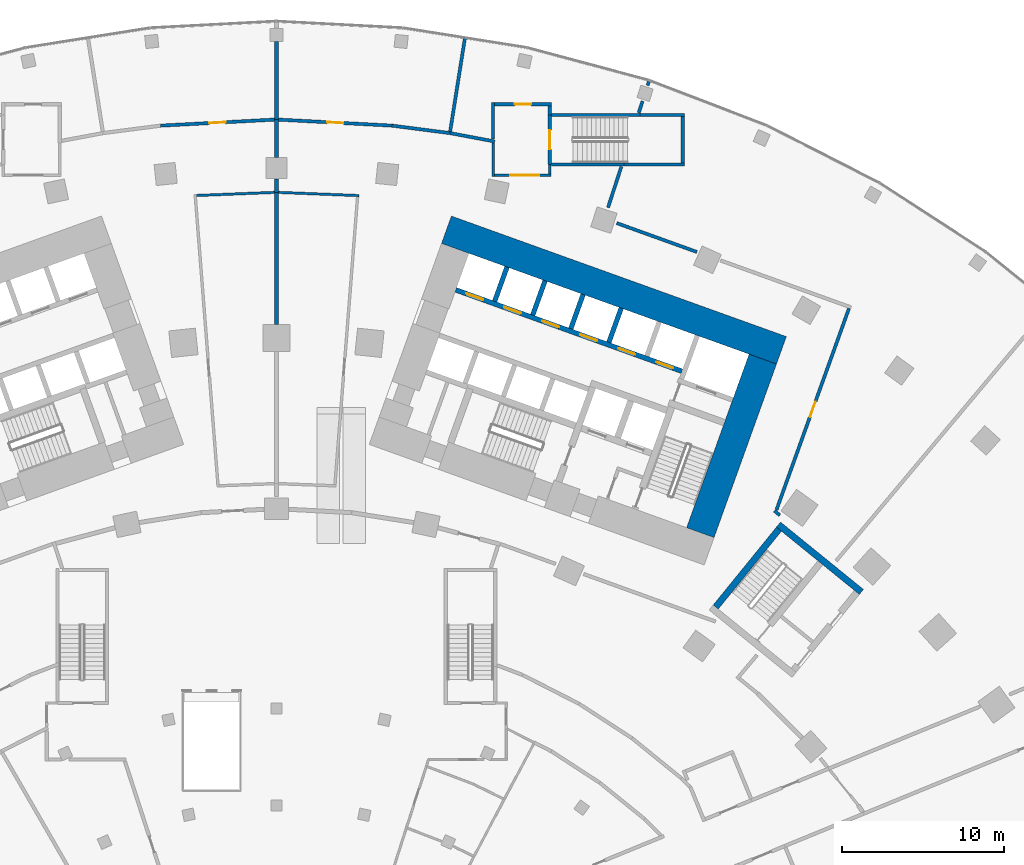
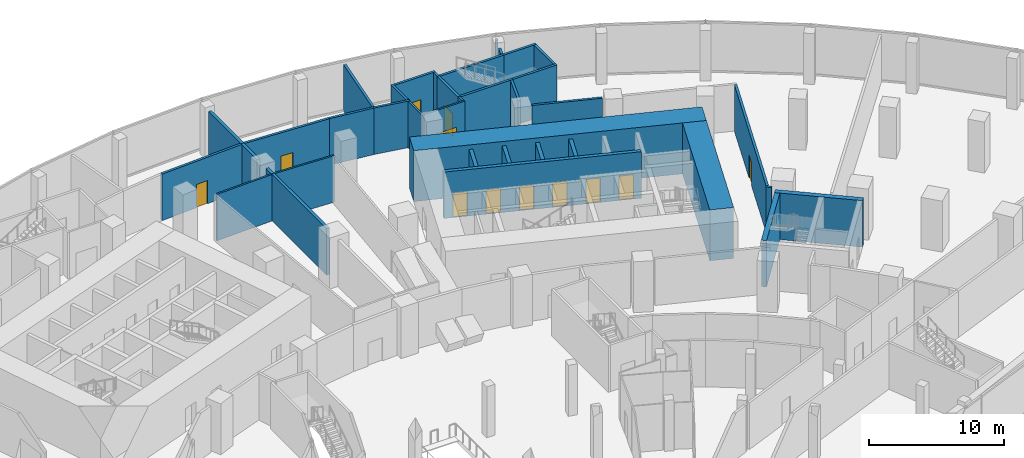
# One storey, part 28 of 40: 38 walls, 12 doors, 12 openings.
"""IFC4 building model written with IfcOpenShell, lengths in metres."""

from ifc_helpers import new_model, si_unit, direction, frame, frame_2d, origin, place, context, subcontext, project, spatial, rectangle, extrude, material, layer, layer_set, type_object, element, fill, save


model = new_model("IFC4")

# Units and contexts
model_context = context("Model", 3, precision=1e-05, world=origin(), true_north=direction((0.0, 1.0)))
body_context = subcontext(model_context, "Body", "Model", "MODEL_VIEW")
ifc_project = project(units=[si_unit("LENGTHUNIT", "METRE"), si_unit("AREAUNIT", "SQUARE_METRE"), si_unit("VOLUMEUNIT", "CUBIC_METRE"), si_unit("PLANEANGLEUNIT", "RADIAN"), si_unit("MASSUNIT", "GRAM", prefix="KILO")], contexts=[model_context])

# Site, building, storey
site_placement = place(None, origin())
site = spatial("IfcSite", under=ifc_project, at=site_placement, CompositionType="ELEMENT")
building_placement = place(site_placement, origin())
building = spatial("IfcBuilding", under=site, at=building_placement, Name="Stone Belt Terrace Tower", CompositionType="ELEMENT")
storey_placement = place(building_placement, frame((0.0, 0.0, 7.0)))
storey = spatial("IfcBuildingStorey", under=building, at=storey_placement, Name="L01", CompositionType="ELEMENT", Elevation=7.0)

# Walls
ifc_material_1 = material(Name="Concrete B30", Category="concrete")
ifc_layer_1 = layer(ifc_material_1, 0.25)
ifc_layer_set_1 = layer_set([ifc_layer_1], Name="Compartment wall 250")
wall_type_1 = type_object("IfcWallType", Name="Compartment wall 250", PredefinedType="SOLIDWALL", material=ifc_layer_set_1)
wall_1_placement = place(storey_placement, frame((0.0, 55.844970703125, 0.0), z_axis=(0.0, 0.0, 1.0), x_axis=(0.0, 1.0, 0.0)))
element("IfcWall", 1, at=wall_1_placement, inside=storey, type_object=wall_type_1, Name="Compartment wall L01 8", PredefinedType="SOLIDWALL", context=body_context, shape_type="SweptSolid", body=[
    extrude(rectangle(XDim=8.155029296875, YDim=0.25, at=frame_2d((4.07763671875, 0.0))), origin(), (0.0, 0.0, 1.0), 4.199951171875),
])
wall_2_placement = place(storey_placement, frame((0.0, 68.5, 0.0), z_axis=(0.0, 0.0, 1.0), x_axis=(0.0, 1.0, 0.0)))
element("IfcWall", 2, at=wall_2_placement, inside=storey, type_object=wall_type_1, Name="Compartment wall L01 10", PredefinedType="SOLIDWALL", context=body_context, shape_type="SweptSolid", body=[
    extrude(rectangle(XDim=4.807861328125, YDim=0.25, at=frame_2d((2.40380859375, 0.0))), origin(), (0.0, 0.0, 1.0), 4.199951171875),
])
ifc_material_2 = material(Name="Concrete B80", Category="concrete")
ifc_layer_2 = layer(ifc_material_2, 1.800048828125)
ifc_layer_set_2 = layer_set([ifc_layer_2], Name="Core wall 1800 B80")
wall_type_2 = type_object("IfcWallType", Name="Core wall 1800 B80", PredefinedType="SHEAR", material=ifc_layer_set_2)
wall_3_placement = place(storey_placement, frame((10.509033203125, 61.685546875, 0.0), z_axis=(0.0, 0.0, 1.0), x_axis=(0.940922914687, -0.338620833112, 0.0)))
element("IfcWall", 3, at=wall_3_placement, inside=storey, type_object=wall_type_2, Name="Core B wall convex L01", PredefinedType="SHEAR", context=body_context, shape_type="SweptSolid", body=[
    extrude(rectangle(XDim=22.000244140625, YDim=1.800048828125, at=frame_2d((11.0, 0.0))), origin(), (0.0, 0.0, 1.0), 4.60009765625),
])
wall_4_placement = place(storey_placement, frame((26.197509765625, 42.96728515625, 0.0), z_axis=(0.0, 0.0, 1.0), x_axis=(0.338625431531, 0.940921259788, 0.0)))
element("IfcWall", 4, at=wall_4_placement, inside=storey, type_object=wall_type_2, Name="Core B wall end_b L01", PredefinedType="SHEAR", context=body_context, shape_type="SweptSolid", body=[
    extrude(rectangle(XDim=11.400146484375, YDim=1.800048828125, at=frame_2d((5.7001953125, 0.0))), origin(), (0.0, 0.0, 1.0), 4.60009765625),
])
ifc_material_3 = material(Name="Fire-resistant glazing in steel frame", Category="steel")
ifc_layer_3 = layer(ifc_material_3, 0.25)
ifc_layer_set_3 = layer_set([ifc_layer_3], Name="Glazed compartment fire screen 250")
wall_type_3 = type_object("IfcWallType", Name="Glazed compartment fire screen 250", PredefinedType="PARTITIONING", material=ifc_layer_set_3)
wall_5_placement = place(storey_placement, frame((0.0, 64.0, 0.0), z_axis=(0.0, 0.0, 1.0), x_axis=(0.0, 1.0, 0.0)))
element("IfcWall", 5, at=wall_5_placement, inside=storey, type_object=wall_type_3, Name="Compartment fire screen L01 9", PredefinedType="PARTITIONING", context=body_context, shape_type="SweptSolid", body=[
    extrude(rectangle(XDim=0.81884765625, YDim=0.25, at=frame_2d((0.409423828125, 0.0))), origin(), (0.0, 0.0, 1.0), 4.199951171875),
])
wall_6_placement = place(storey_placement, frame((0.0, 66.158935546875, 0.0), z_axis=(0.0, 0.0, 1.0), x_axis=(0.0, 1.0, 0.0)))
element("IfcWall", 6, at=wall_6_placement, inside=storey, type_object=wall_type_3, Name="Compartment fire screen L01 9", PredefinedType="PARTITIONING", context=body_context, shape_type="SweptSolid", body=[
    extrude(rectangle(XDim=2.341064453125, YDim=0.25, at=frame_2d((1.17041015625, 0.0))), origin(), (0.0, 0.0, 1.0), 4.199951171875),
])

# Wall, openings, doors
ifc_layer_4 = layer(ifc_material_2, 0.300048828125)
ifc_layer_set_4 = layer_set([ifc_layer_4], Name="Lift shaft wall 300")
wall_type_4 = type_object("IfcWallType", Name="Lift shaft wall 300", PredefinedType="SHEAR", material=ifc_layer_set_4)
wall_7_placement = place(storey_placement, frame((25.05810546875, 52.9423828125, 0.0), z_axis=(0.0, 0.0, 1.0), x_axis=(-0.940918215764, 0.338633889685, 0.0)))
wall_7 = element("IfcWall", 7, at=wall_7_placement, inside=storey, type_object=wall_type_4, Name="Core B wall", PredefinedType="SHEAR", context=body_context, shape_type="SweptSolid", body=[
    extrude(rectangle(XDim=14.850341796875, YDim=0.300048828125, at=frame_2d((7.42529296875, 0.0))), origin(), (0.0, 0.0, 1.0), 4.199951171875),
])
opening_1_placement = place(wall_7_placement, frame((0.570068359375, 0.0, 0.0)))
opening_1 = element("IfcOpeningElement", 8, at=opening_1_placement, cuts=wall_7, Name="Opening L01-LD10", PredefinedType="OPENING", context=body_context, shape_type="SweptSolid", body=[
    extrude(rectangle(XDim=1.10009765625, YDim=2.199951171875, at=frame_2d((0.550048828125, 1.10009765625))), frame((0.0, 0.159912109375, 0.0), z_axis=(0.0, -1.0, 0.0), x_axis=(1.0, 0.0, 0.0)), (0.0, 0.0, 1.0), 0.320068359375),
])
opening_2_placement = place(wall_7_placement, frame((3.070068359375, 0.0, 0.0)))
opening_2 = element("IfcOpeningElement", 9, at=opening_2_placement, cuts=wall_7, Name="Opening L01-LD11", PredefinedType="OPENING", context=body_context, shape_type="SweptSolid", body=[
    extrude(rectangle(XDim=1.10009765625, YDim=2.199951171875, at=frame_2d((0.550048828125, 1.10009765625))), frame((0.0, 0.159912109375, 0.0), z_axis=(0.0, -1.0, 0.0), x_axis=(1.0, 0.0, 0.0)), (0.0, 0.0, 1.0), 0.320068359375),
])
opening_3_placement = place(wall_7_placement, frame((5.570068359375, 0.0, 0.0)))
opening_3 = element("IfcOpeningElement", 10, at=opening_3_placement, cuts=wall_7, Name="Opening L01-LD12", PredefinedType="OPENING", context=body_context, shape_type="SweptSolid", body=[
    extrude(rectangle(XDim=1.10009765625, YDim=2.199951171875, at=frame_2d((0.550048828125, 1.10009765625))), frame((0.0, 0.159912109375, 0.0), z_axis=(0.0, -1.0, 0.0), x_axis=(1.0, 0.0, 0.0)), (0.0, 0.0, 1.0), 0.320068359375),
])
opening_4_placement = place(wall_7_placement, frame((8.070068359375, 0.0, 0.0)))
opening_4 = element("IfcOpeningElement", 11, at=opening_4_placement, cuts=wall_7, Name="Opening L01-LD13", PredefinedType="OPENING", context=body_context, shape_type="SweptSolid", body=[
    extrude(rectangle(XDim=1.10009765625, YDim=2.199951171875, at=frame_2d((0.550048828125, 1.10009765625))), frame((0.0, 0.159912109375, 0.0), z_axis=(0.0, -1.0, 0.0), x_axis=(1.0, 0.0, 0.0)), (0.0, 0.0, 1.0), 0.320068359375),
])
opening_5_placement = place(wall_7_placement, frame((10.570068359375, 0.0, 0.0)))
opening_5 = element("IfcOpeningElement", 12, at=opening_5_placement, cuts=wall_7, Name="Opening L01-LD14", PredefinedType="OPENING", context=body_context, shape_type="SweptSolid", body=[
    extrude(rectangle(XDim=1.10009765625, YDim=2.199951171875, at=frame_2d((0.550048828125, 1.10009765625))), frame((0.0, 0.159912109375, 0.0), z_axis=(0.0, -1.0, 0.0), x_axis=(1.0, 0.0, 0.0)), (0.0, 0.0, 1.0), 0.320068359375),
])
opening_6_placement = place(wall_7_placement, frame((13.070068359375, 0.0, 0.0)))
opening_6 = element("IfcOpeningElement", 13, at=opening_6_placement, cuts=wall_7, Name="Opening L01-LD15", PredefinedType="OPENING", context=body_context, shape_type="SweptSolid", body=[
    extrude(rectangle(XDim=1.10009765625, YDim=2.199951171875, at=frame_2d((0.550048828125, 1.10009765625))), frame((0.0, 0.159912109375, 0.0), z_axis=(0.0, -1.0, 0.0), x_axis=(1.0, 0.0, 0.0)), (0.0, 0.0, 1.0), 0.320068359375),
])
ifc_material_4 = material(Name="Stainless steel door leaf", Category="steel")
door_type_1 = type_object("IfcDoorType", Name="Landing door 1100", OperationType="SLIDING_TO_LEFT", PredefinedType="DOOR", material=ifc_material_4)
door_1_placement = place(opening_1_placement, origin())
door_1 = element("IfcDoor", 14, at=door_1_placement, inside=storey, type_object=door_type_1, Name="Landing door LR1 core B", OperationType="SLIDING_TO_LEFT", OverallHeight=2.199951171875, OverallWidth=1.10009765625, PredefinedType="DOOR", context=body_context, shape_type="SweptSolid", body=[
    extrude(rectangle(XDim=1.10009765625, YDim=2.199951171875, at=frame_2d((0.550048828125, 1.10009765625))), frame((0.0, 0.02490234375, 0.0), z_axis=(0.0, -1.0, 0.0), x_axis=(1.0, 0.0, 0.0)), (0.0, 0.0, 1.0), 0.050048828125),
])
fill(opening_1, door_1)
door_2_placement = place(opening_2_placement, origin())
door_2 = element("IfcDoor", 15, at=door_2_placement, inside=storey, type_object=door_type_1, Name="Landing door LR2 core B", OperationType="SLIDING_TO_LEFT", OverallHeight=2.199951171875, OverallWidth=1.10009765625, PredefinedType="DOOR", context=body_context, shape_type="SweptSolid", body=[
    extrude(rectangle(XDim=1.10009765625, YDim=2.199951171875, at=frame_2d((0.550048828125, 1.10009765625))), frame((0.0, 0.02490234375, 0.0), z_axis=(0.0, -1.0, 0.0), x_axis=(1.0, 0.0, 0.0)), (0.0, 0.0, 1.0), 0.050048828125),
])
fill(opening_2, door_2)
door_3_placement = place(opening_3_placement, origin())
door_3 = element("IfcDoor", 16, at=door_3_placement, inside=storey, type_object=door_type_1, Name="Landing door LR3 core B", OperationType="SLIDING_TO_LEFT", OverallHeight=2.199951171875, OverallWidth=1.10009765625, PredefinedType="DOOR", context=body_context, shape_type="SweptSolid", body=[
    extrude(rectangle(XDim=1.10009765625, YDim=2.199951171875, at=frame_2d((0.550048828125, 1.10009765625))), frame((0.0, 0.02490234375, 0.0), z_axis=(0.0, -1.0, 0.0), x_axis=(1.0, 0.0, 0.0)), (0.0, 0.0, 1.0), 0.050048828125),
])
fill(opening_3, door_3)
door_4_placement = place(opening_4_placement, origin())
door_4 = element("IfcDoor", 17, at=door_4_placement, inside=storey, type_object=door_type_1, Name="Landing door LR4 core B", OperationType="SLIDING_TO_LEFT", OverallHeight=2.199951171875, OverallWidth=1.10009765625, PredefinedType="DOOR", context=body_context, shape_type="SweptSolid", body=[
    extrude(rectangle(XDim=1.10009765625, YDim=2.199951171875, at=frame_2d((0.550048828125, 1.10009765625))), frame((0.0, 0.02490234375, 0.0), z_axis=(0.0, -1.0, 0.0), x_axis=(1.0, 0.0, 0.0)), (0.0, 0.0, 1.0), 0.050048828125),
])
fill(opening_4, door_4)
door_5_placement = place(opening_5_placement, origin())
door_5 = element("IfcDoor", 18, at=door_5_placement, inside=storey, type_object=door_type_1, Name="Landing door LR5 core B", OperationType="SLIDING_TO_LEFT", OverallHeight=2.199951171875, OverallWidth=1.10009765625, PredefinedType="DOOR", context=body_context, shape_type="SweptSolid", body=[
    extrude(rectangle(XDim=1.10009765625, YDim=2.199951171875, at=frame_2d((0.550048828125, 1.10009765625))), frame((0.0, 0.02490234375, 0.0), z_axis=(0.0, -1.0, 0.0), x_axis=(1.0, 0.0, 0.0)), (0.0, 0.0, 1.0), 0.050048828125),
])
fill(opening_5, door_5)
door_6_placement = place(opening_6_placement, origin())
door_6 = element("IfcDoor", 19, at=door_6_placement, inside=storey, type_object=door_type_1, Name="Landing door LR6 core B", OperationType="SLIDING_TO_LEFT", OverallHeight=2.199951171875, OverallWidth=1.10009765625, PredefinedType="DOOR", context=body_context, shape_type="SweptSolid", body=[
    extrude(rectangle(XDim=1.10009765625, YDim=2.199951171875, at=frame_2d((0.550048828125, 1.10009765625))), frame((0.0, 0.02490234375, 0.0), z_axis=(0.0, -1.0, 0.0), x_axis=(1.0, 0.0, 0.0)), (0.0, 0.0, 1.0), 0.050048828125),
])
fill(opening_6, door_6)

# Walls
wall_8_placement = place(storey_placement, frame((20.54541015625, 54.72607421875, 0.0), z_axis=(0.0, 0.0, 1.0), x_axis=(0.338569601369, 0.940941350472, 0.0)))
element("IfcWall", 20, at=wall_8_placement, inside=storey, type_object=wall_type_4, Name="Core B wall", PredefinedType="SHEAR", context=body_context, shape_type="SweptSolid", body=[
    extrude(rectangle(XDim=2.249755859375, YDim=0.300048828125, at=frame_2d((1.125, 0.0))), origin(), (0.0, 0.0, 1.0), 4.199951171875),
])
wall_9_placement = place(storey_placement, frame((18.193115234375, 55.572509765625, 0.0), z_axis=(0.0, 0.0, 1.0), x_axis=(0.338535034312, 0.940953787677, 0.0)))
element("IfcWall", 21, at=wall_9_placement, inside=storey, type_object=wall_type_4, Name="Core B wall", PredefinedType="SHEAR", context=body_context, shape_type="SweptSolid", body=[
    extrude(rectangle(XDim=2.25, YDim=0.300048828125, at=frame_2d((1.125, 0.0))), origin(), (0.0, 0.0, 1.0), 4.199951171875),
])
wall_10_placement = place(storey_placement, frame((15.8408203125, 56.419189453125, 0.0), z_axis=(0.0, 0.0, 1.0), x_axis=(0.338569601369, 0.940941350472, 0.0)))
element("IfcWall", 22, at=wall_10_placement, inside=storey, type_object=wall_type_4, Name="Core B wall", PredefinedType="SHEAR", context=body_context, shape_type="SweptSolid", body=[
    extrude(rectangle(XDim=2.249755859375, YDim=0.300048828125, at=frame_2d((1.125, 0.0))), origin(), (0.0, 0.0, 1.0), 4.199951171875),
])
wall_11_placement = place(storey_placement, frame((13.48828125, 57.265625, 0.0), z_axis=(0.0, 0.0, 1.0), x_axis=(0.338631098537, 0.940919220286, 0.0)))
element("IfcWall", 23, at=wall_11_placement, inside=storey, type_object=wall_type_4, Name="Core B wall", PredefinedType="SHEAR", context=body_context, shape_type="SweptSolid", body=[
    extrude(rectangle(XDim=2.250244140625, YDim=0.300048828125, at=frame_2d((1.125, 0.0))), origin(), (0.0, 0.0, 1.0), 4.199951171875),
])

# Wall, opening, door
ifc_material_5 = material(Name="Blockwork wall, plastered both faces", Category="masonry")
ifc_layer_5 = layer(ifc_material_5, 0.199951171875)
ifc_layer_set_5 = layer_set([ifc_layer_5], Name="Podium demising wall 200")
wall_type_5 = type_object("IfcWallType", Name="Podium demising wall 200", PredefinedType="PARTITIONING", material=ifc_layer_set_5)
wall_12_placement = place(storey_placement, frame((-7.15625, 68.1201171875, 0.0), z_axis=(0.0, 0.0, 1.0), x_axis=(0.998593683365, 0.053015616037, 0.0)))
wall_12 = element("IfcWall", 24, at=wall_12_placement, inside=storey, type_object=wall_type_5, Name="Podium demising wall 200", PredefinedType="PARTITIONING", context=body_context, shape_type="SweptSolid", body=[
    extrude(rectangle(XDim=7.041259765625, YDim=0.199951171875, at=frame_2d((3.5205078125, 0.0))), origin(), (0.0, 0.0, 1.0), 4.199951171875),
])
opening_7_placement = place(wall_12_placement, frame((3.0205078125, 0.0, 0.0)))
opening_7 = element("IfcOpeningElement", 25, at=opening_7_placement, cuts=wall_12, Name="Opening L01-P12", PredefinedType="OPENING", context=body_context, shape_type="SweptSolid", body=[
    extrude(rectangle(XDim=1.0, YDim=2.10009765625, at=frame_2d((0.5, 1.050048828125))), frame((0.0, 0.10986328125, 0.0), z_axis=(0.0, -1.0, 0.0), x_axis=(1.0, 0.0, 0.0)), (0.0, 0.0, 1.0), 0.219970703125),
])
ifc_material_6 = material(Name="Steel framed door leaf", Category="steel")
door_type_2 = type_object("IfcDoorType", Name="Podium door single 1000", OperationType="SINGLE_SWING_LEFT", PredefinedType="DOOR", material=ifc_material_6)
door_7_placement = place(opening_7_placement, origin())
door_7 = element("IfcDoor", 26, at=door_7_placement, inside=storey, type_object=door_type_2, Name="Podium door single 1000", OperationType="SINGLE_SWING_RIGHT", OverallHeight=2.10009765625, OverallWidth=1.0, PredefinedType="DOOR", context=body_context, shape_type="SweptSolid", body=[
    extrude(rectangle(XDim=1.0, YDim=2.10009765625, at=frame_2d((0.5, 1.050048828125))), frame((0.0, 0.02490234375, 0.0), z_axis=(0.0, -1.0, 0.0), x_axis=(1.0, 0.0, 0.0)), (0.0, 0.0, 1.0), 0.050048828125),
])
fill(opening_7, door_7)

wall_13_placement = place(storey_placement, frame((0.125, 68.493408203125, 0.0), z_axis=(0.0, 0.0, 1.0), x_axis=(0.998593683365, -0.053015616037, 0.0)))
wall_13 = element("IfcWall", 27, at=wall_13_placement, inside=storey, type_object=wall_type_5, Name="Podium demising wall 200", PredefinedType="PARTITIONING", context=body_context, shape_type="SweptSolid", body=[
    extrude(rectangle(XDim=7.041259765625, YDim=0.199951171875, at=frame_2d((3.5205078125, 0.0))), origin(), (0.0, 0.0, 1.0), 4.199951171875),
])
opening_8_placement = place(wall_13_placement, frame((3.0205078125, 0.0, 0.0)))
opening_8 = element("IfcOpeningElement", 28, at=opening_8_placement, cuts=wall_13, Name="Opening L01-P13", PredefinedType="OPENING", context=body_context, shape_type="SweptSolid", body=[
    extrude(rectangle(XDim=1.0, YDim=2.10009765625, at=frame_2d((0.5, 1.050048828125))), frame((0.0, 0.10986328125, 0.0), z_axis=(0.0, -1.0, 0.0), x_axis=(1.0, 0.0, 0.0)), (0.0, 0.0, 1.0), 0.219970703125),
])
door_8_placement = place(opening_8_placement, origin())
door_8 = element("IfcDoor", 29, at=door_8_placement, inside=storey, type_object=door_type_2, Name="Podium door single 1000", OperationType="SINGLE_SWING_LEFT", OverallHeight=2.10009765625, OverallWidth=1.0, PredefinedType="DOOR", context=body_context, shape_type="SweptSolid", body=[
    extrude(rectangle(XDim=1.0, YDim=2.10009765625, at=frame_2d((0.5, 1.050048828125))), frame((0.0, 0.02490234375, 0.0), z_axis=(0.0, -1.0, 0.0), x_axis=(1.0, 0.0, 0.0)), (0.0, 0.0, 1.0), 0.050048828125),
])
fill(opening_8, door_8)

# Walls
wall_14_placement = place(storey_placement, frame((7.163818359375, 68.119384765625, 0.0), z_axis=(0.0, 0.0, 1.0), x_axis=(0.991761119843, -0.12810105842, 0.0)))
element("IfcWall", 30, at=wall_14_placement, inside=storey, type_object=wall_type_5, Name="Podium demising wall 200", PredefinedType="PARTITIONING", context=body_context, shape_type="SweptSolid", body=[
    extrude(rectangle(XDim=3.5830078125, YDim=0.199951171875, at=frame_2d((1.79150390625, 0.0))), origin(), (0.0, 0.0, 1.0), 4.199951171875),
])
wall_15_placement = place(storey_placement, frame((10.735595703125, 67.7587890625, 0.0), z_axis=(0.0, 0.0, 1.0), x_axis=(0.156147561398, 0.987733738955, 0.0)))
element("IfcWall", 31, at=wall_15_placement, inside=storey, type_object=wall_type_5, Name="Podium demising wall 200", PredefinedType="PARTITIONING", context=body_context, shape_type="SweptSolid", body=[
    extrude(rectangle(XDim=5.89599609375, YDim=0.199951171875, at=frame_2d((2.947998046875, 0.0))), origin(), (0.0, 0.0, 1.0), 4.199951171875),
])
wall_16_placement = place(storey_placement, frame((10.722900390625, 67.659423828125, 0.0), z_axis=(0.0, 0.0, 1.0), x_axis=(0.982921240694, -0.184026722495, 0.0)))
element("IfcWall", 32, at=wall_16_placement, inside=storey, type_object=wall_type_5, Name="Podium demising wall 200", PredefinedType="PARTITIONING", context=body_context, shape_type="SweptSolid", body=[
    extrude(rectangle(XDim=2.815185546875, YDim=0.199951171875, at=frame_2d((1.40771484375, 0.0))), origin(), (0.0, 0.0, 1.0), 4.199951171875),
])
wall_17_placement = place(storey_placement, frame((13.389892578125, 67.28173828125, 0.0), z_axis=(0.0, 0.0, 1.0), x_axis=(0.0, 1.0, 0.0)))
element("IfcWall", 33, at=wall_17_placement, inside=storey, type_object=wall_type_5, Name="Podium demising wall 200", PredefinedType="PARTITIONING", context=body_context, shape_type="SweptSolid", body=[
    extrude(rectangle(XDim=2.268310546875, YDim=0.199951171875, at=frame_2d((1.13427734375, 0.0))), origin(), (0.0, 0.0, 1.0), 4.199951171875),
])

# Wall, opening, door
wall_18_placement = place(storey_placement, frame((13.489990234375, 69.449951171875, 0.0), z_axis=(0.0, 0.0, 1.0), x_axis=(1.0, 0.0, 0.0)))
wall_18 = element("IfcWall", 34, at=wall_18_placement, inside=storey, type_object=wall_type_5, Name="Podium demising wall 200", PredefinedType="PARTITIONING", context=body_context, shape_type="SweptSolid", body=[
    extrude(rectangle(XDim=3.5, YDim=0.199951171875, at=frame_2d((1.75, 0.0))), origin(), (0.0, 0.0, 1.0), 4.199951171875),
])
opening_9_placement = place(wall_18_placement, frame((1.25, 0.0, 0.0)))
opening_9 = element("IfcOpeningElement", 35, at=opening_9_placement, cuts=wall_18, Name="Opening L01-P14", PredefinedType="OPENING", context=body_context, shape_type="SweptSolid", body=[
    extrude(rectangle(XDim=1.0, YDim=2.10009765625, at=frame_2d((0.5, 1.050048828125))), frame((0.0, 0.10986328125, 0.0), z_axis=(0.0, -1.0, 0.0), x_axis=(1.0, 0.0, 0.0)), (0.0, 0.0, 1.0), 0.219970703125),
])
door_9_placement = place(opening_9_placement, origin())
door_9 = element("IfcDoor", 36, at=door_9_placement, inside=storey, type_object=door_type_2, Name="Podium door single 1000", OperationType="SINGLE_SWING_RIGHT", OverallHeight=2.10009765625, OverallWidth=1.0, PredefinedType="DOOR", context=body_context, shape_type="SweptSolid", body=[
    extrude(rectangle(XDim=1.0, YDim=2.10009765625, at=frame_2d((0.5, 1.050048828125))), frame((0.0, 0.02490234375, 0.0), z_axis=(0.0, -1.0, 0.0), x_axis=(1.0, 0.0, 0.0)), (0.0, 0.0, 1.0), 0.050048828125),
])
fill(opening_9, door_9)

# Walls
wall_19_placement = place(storey_placement, frame((16.889892578125, 68.780029296875, 0.0), z_axis=(0.0, 0.0, 1.0), x_axis=(0.0, 1.0, 0.0)))
element("IfcWall", 37, at=wall_19_placement, inside=storey, type_object=wall_type_5, Name="Podium demising wall 200", PredefinedType="PARTITIONING", context=body_context, shape_type="SweptSolid", body=[
    extrude(rectangle(XDim=0.570068359375, YDim=0.199951171875, at=frame_2d((0.28515625, 0.0))), origin(), (0.0, 0.0, 1.0), 4.199951171875),
])
wall_20_placement = place(storey_placement, frame((20.4921875, 63.052490234375, 0.0), z_axis=(0.0, 0.0, 1.0), x_axis=(0.309384009881, 0.950937187426, 0.0)))
element("IfcWall", 38, at=wall_20_placement, inside=storey, type_object=wall_type_5, Name="Podium demising wall 200", PredefinedType="PARTITIONING", context=body_context, shape_type="SweptSolid", body=[
    extrude(rectangle(XDim=2.66796875, YDim=0.199951171875, at=frame_2d((1.333984375, 0.0))), origin(), (0.0, 0.0, 1.0), 4.199951171875),
])
wall_21_placement = place(storey_placement, frame((21.025634765625, 62.09814453125, 0.0), z_axis=(0.0, 0.0, 1.0), x_axis=(0.940962329777, -0.338511290715, 0.0)))
element("IfcWall", 39, at=wall_21_placement, inside=storey, type_object=wall_type_5, Name="Podium demising wall 200", PredefinedType="PARTITIONING", context=body_context, shape_type="SweptSolid", body=[
    extrude(rectangle(XDim=5.274169921875, YDim=0.199951171875, at=frame_2d((2.63720703125, 0.0))), origin(), (0.0, 0.0, 1.0), 4.199951171875),
])
wall_22_placement = place(storey_placement, frame((22.38916015625, 68.90087890625, 0.0), z_axis=(0.0, 0.0, 1.0), x_axis=(0.307946811299, 0.951403574415, 0.0)))
element("IfcWall", 40, at=wall_22_placement, inside=storey, type_object=wall_type_5, Name="Podium demising wall 200", PredefinedType="PARTITIONING", context=body_context, shape_type="SweptSolid", body=[
    extrude(rectangle(XDim=0.7705078125, YDim=0.199951171875, at=frame_2d((0.38525390625, 0.0))), origin(), (0.0, 0.0, 1.0), 4.199951171875),
])
wall_23_placement = place(storey_placement, frame((22.9404296875, 70.6044921875, 0.0), z_axis=(0.0, 0.0, 1.0), x_axis=(0.308117681969, 0.951348250673, 0.0)))
element("IfcWall", 41, at=wall_23_placement, inside=storey, type_object=wall_type_5, Name="Podium demising wall 200", PredefinedType="PARTITIONING", context=body_context, shape_type="SweptSolid", body=[
    extrude(rectangle(XDim=0.26220703125, YDim=0.199951171875, at=frame_2d((0.131103515625, 0.0))), origin(), (0.0, 0.0, 1.0), 4.199951171875),
])
wall_24_placement = place(storey_placement, frame((30.7783203125, 44.318603515625, 0.0), z_axis=(0.0, 0.0, 1.0), x_axis=(0.765860267195, -0.643007038167, 0.0)))
element("IfcWall", 42, at=wall_24_placement, inside=storey, type_object=wall_type_5, Name="Podium demising wall 200", PredefinedType="PARTITIONING", context=body_context, shape_type="SweptSolid", body=[
    extrude(rectangle(XDim=0.43310546875, YDim=0.199951171875, at=frame_2d((0.216552734375, 0.0))), origin(), (0.0, 0.0, 1.0), 4.199951171875),
])

# Wall, opening, door
wall_25_placement = place(storey_placement, frame((30.904296875, 44.372802734375, 0.0), z_axis=(0.0, 0.0, 1.0), x_axis=(0.338623445126, 0.940921974667, 0.0)))
wall_25 = element("IfcWall", 43, at=wall_25_placement, inside=storey, type_object=wall_type_5, Name="Podium demising wall 200", PredefinedType="PARTITIONING", context=body_context, shape_type="SweptSolid", body=[
    extrude(rectangle(XDim=13.235107421875, YDim=0.199951171875, at=frame_2d((6.61767578125, 0.0))), origin(), (0.0, 0.0, 1.0), 4.199951171875),
])
opening_10_placement = place(wall_25_placement, frame((6.10546875, 0.0, 0.0)))
opening_10 = element("IfcOpeningElement", 44, at=opening_10_placement, cuts=wall_25, Name="Opening L01-P32", PredefinedType="OPENING", context=body_context, shape_type="SweptSolid", body=[
    extrude(rectangle(XDim=1.0, YDim=2.10009765625, at=frame_2d((0.5, 1.050048828125))), frame((0.0, 0.10986328125, 0.0), z_axis=(0.0, -1.0, 0.0), x_axis=(1.0, 0.0, 0.0)), (0.0, 0.0, 1.0), 0.219970703125),
])
door_10_placement = place(opening_10_placement, origin())
door_10 = element("IfcDoor", 45, at=door_10_placement, inside=storey, type_object=door_type_2, Name="Podium door single 1000", OperationType="SINGLE_SWING_RIGHT", OverallHeight=2.10009765625, OverallWidth=1.0, PredefinedType="DOOR", context=body_context, shape_type="SweptSolid", body=[
    extrude(rectangle(XDim=1.0, YDim=2.10009765625, at=frame_2d((0.5, 1.050048828125))), frame((0.0, 0.02490234375, 0.0), z_axis=(0.0, -1.0, 0.0), x_axis=(1.0, 0.0, 0.0)), (0.0, 0.0, 1.0), 0.050048828125),
])
fill(opening_10, door_10)

# Walls
ifc_material_7 = material(Name="Gypsum board on steel stud partition", Category="steel")
ifc_layer_6 = layer(ifc_material_7, 0.14990234375)
ifc_layer_set_6 = layer_set([ifc_layer_6], Name="Podium partition 150")
wall_type_6 = type_object("IfcWallType", Name="Podium partition 150", PredefinedType="PARTITIONING", material=ifc_layer_set_6)
wall_26_placement = place(storey_placement, frame((-4.945068359375, 63.802978515625, 0.0), z_axis=(0.0, 0.0, 1.0), x_axis=(0.999206446914, 0.039830596856, 0.0)))
element("IfcWall", 46, at=wall_26_placement, inside=storey, type_object=wall_type_6, Name="Podium partition 150", PredefinedType="PARTITIONING", context=body_context, shape_type="SweptSolid", body=[
    extrude(rectangle(XDim=4.823974609375, YDim=0.14990234375, at=frame_2d((2.412109375, 0.0))), origin(), (0.0, 0.0, 1.0), 4.199951171875),
])
wall_27_placement = place(storey_placement, frame((0.125, 63.9951171875, 0.0), z_axis=(0.0, 0.0, 1.0), x_axis=(0.999207375355, -0.039807298787, 0.0)))
element("IfcWall", 47, at=wall_27_placement, inside=storey, type_object=wall_type_6, Name="Podium partition 150", PredefinedType="PARTITIONING", context=body_context, shape_type="SweptSolid", body=[
    extrude(rectangle(XDim=4.973876953125, YDim=0.14990234375, at=frame_2d((2.48681640625, 0.0))), origin(), (0.0, 0.0, 1.0), 4.199951171875),
])
wall_28_placement = place(storey_placement, frame((13.389892578125, 64.97509765625, 0.0), z_axis=(0.0, 0.0, 1.0), x_axis=(0.0, 1.0, 0.0)))
element("IfcWall", 48, at=wall_28_placement, inside=storey, type_object=wall_type_6, Name="Podium partition 150", PredefinedType="PARTITIONING", context=body_context, shape_type="SweptSolid", body=[
    extrude(rectangle(XDim=2.06884765625, YDim=0.14990234375, at=frame_2d((1.034423828125, 0.0))), origin(), (0.0, 0.0, 1.0), 4.199951171875),
])

# Wall, opening, door
wall_29_placement = place(storey_placement, frame((13.465087890625, 65.050048828125, 0.0), z_axis=(0.0, 0.0, 1.0), x_axis=(1.0, 0.0, 0.0)))
wall_29 = element("IfcWall", 49, at=wall_29_placement, inside=storey, type_object=wall_type_6, Name="Podium partition 150", PredefinedType="PARTITIONING", context=body_context, shape_type="SweptSolid", body=[
    extrude(rectangle(XDim=3.5, YDim=0.14990234375, at=frame_2d((1.75, 0.0))), origin(), (0.0, 0.0, 1.0), 4.199951171875),
])
opening_11_placement = place(wall_29_placement, frame((0.989990234375, 0.0, 0.0)))
opening_11 = element("IfcOpeningElement", 50, at=opening_11_placement, cuts=wall_29, Name="Opening L01-P38", PredefinedType="OPENING", context=body_context, shape_type="SweptSolid", body=[
    extrude(rectangle(XDim=1.800048828125, YDim=2.10009765625, at=frame_2d((0.89990234375, 1.050048828125))), frame((0.0, 0.0849609375, 0.0), z_axis=(0.0, -1.0, 0.0), x_axis=(1.0, 0.0, 0.0)), (0.0, 0.0, 1.0), 0.169921875),
])
door_type_3 = type_object("IfcDoorType", Name="Podium door double 1800", OperationType="DOUBLE_DOOR_SINGLE_SWING", PredefinedType="DOOR", material=ifc_material_6)
door_11_placement = place(opening_11_placement, origin())
door_11 = element("IfcDoor", 51, at=door_11_placement, inside=storey, type_object=door_type_3, Name="Podium door double 1800", OperationType="DOUBLE_DOOR_SINGLE_SWING", OverallHeight=2.10009765625, OverallWidth=1.800048828125, PredefinedType="DOOR", context=body_context, shape_type="SweptSolid", body=[
    extrude(rectangle(XDim=1.800048828125, YDim=2.10009765625, at=frame_2d((0.89990234375, 1.050048828125))), frame((0.0, 0.02490234375, 0.0), z_axis=(0.0, -1.0, 0.0), x_axis=(1.0, 0.0, 0.0)), (0.0, 0.0, 1.0), 0.050048828125),
])
fill(opening_11, door_11)

# Wall
wall_30_placement = place(storey_placement, frame((16.889892578125, 65.125, 0.0), z_axis=(0.0, 0.0, 1.0), x_axis=(0.0, 1.0, 0.0)))
element("IfcWall", 52, at=wall_30_placement, inside=storey, type_object=wall_type_6, Name="Podium partition 150", PredefinedType="PARTITIONING", context=body_context, shape_type="SweptSolid", body=[
    extrude(rectangle(XDim=0.594970703125, YDim=0.14990234375, at=frame_2d((0.29736328125, 0.0))), origin(), (0.0, 0.0, 1.0), 4.199951171875),
])

# Wall, opening, door
ifc_layer_7 = layer(ifc_material_1, 0.199951171875)
ifc_layer_set_7 = layer_set([ifc_layer_7], Name="Podium stair and shaft wall 200")
wall_type_7 = type_object("IfcWallType", Name="Podium stair and shaft wall 200", PredefinedType="SOLIDWALL", material=ifc_layer_set_7)
wall_31_placement = place(storey_placement, frame((16.889892578125, 65.719970703125, 0.0), z_axis=(0.0, 0.0, 1.0), x_axis=(0.0, 1.0, 0.0)))
wall_31 = element("IfcWall", 53, at=wall_31_placement, inside=storey, type_object=wall_type_7, Name="Podium stair and shaft wall 200", PredefinedType="SOLIDWALL", context=body_context, shape_type="SweptSolid", body=[
    extrude(rectangle(XDim=3.06005859375, YDim=0.199951171875, at=frame_2d((1.530029296875, 0.0))), origin(), (0.0, 0.0, 1.0), 4.199951171875),
])
opening_12_placement = place(wall_31_placement, frame((0.929931640625, 0.0, 0.0)))
opening_12 = element("IfcOpeningElement", 54, at=opening_12_placement, cuts=wall_31, Name="Opening L01-P08", PredefinedType="OPENING", context=body_context, shape_type="SweptSolid", body=[
    extrude(rectangle(XDim=1.199951171875, YDim=2.10009765625, at=frame_2d((0.60009765625, 1.050048828125))), frame((0.0, 0.10986328125, 0.0), z_axis=(0.0, -1.0, 0.0), x_axis=(1.0, 0.0, 0.0)), (0.0, 0.0, 1.0), 0.219970703125),
])
door_type_4 = type_object("IfcDoorType", Name="Podium door fire stair 1200", OperationType="SINGLE_SWING_LEFT", PredefinedType="DOOR", material=ifc_material_6)
door_12_placement = place(opening_12_placement, origin())
door_12 = element("IfcDoor", 55, at=door_12_placement, inside=storey, type_object=door_type_4, Name="Podium door fire stair 1200", OperationType="SINGLE_SWING_RIGHT", OverallHeight=2.10009765625, OverallWidth=1.199951171875, PredefinedType="DOOR", context=body_context, shape_type="SweptSolid", body=[
    extrude(rectangle(XDim=1.199951171875, YDim=2.10009765625, at=frame_2d((0.60009765625, 1.050048828125))), frame((0.0, 0.02490234375, 0.0), z_axis=(0.0, -1.0, 0.0), x_axis=(1.0, 0.0, 0.0)), (0.0, 0.0, 1.0), 0.050048828125),
])
fill(opening_12, door_12)

# Walls
wall_32_placement = place(storey_placement, frame((16.989990234375, 65.719970703125, 0.0), z_axis=(0.0, 0.0, 1.0), x_axis=(1.0, 0.0, 0.0)))
element("IfcWall", 56, at=wall_32_placement, inside=storey, type_object=wall_type_7, Name="Podium stair and shaft wall 200", PredefinedType="SOLIDWALL", context=body_context, shape_type="SweptSolid", body=[
    extrude(rectangle(XDim=4.47509765625, YDim=0.199951171875, at=frame_2d((2.237548828125, 0.0))), origin(), (0.0, 0.0, 1.0), 4.199951171875),
])
wall_33_placement = place(storey_placement, frame((16.989990234375, 68.780029296875, 0.0), z_axis=(0.0, 0.0, 1.0), x_axis=(1.0, 0.0, 0.0)))
element("IfcWall", 57, at=wall_33_placement, inside=storey, type_object=wall_type_7, Name="Podium stair and shaft wall 200", PredefinedType="SOLIDWALL", context=body_context, shape_type="SweptSolid", body=[
    extrude(rectangle(XDim=5.465087890625, YDim=0.199951171875, at=frame_2d((2.732421875, 0.0))), origin(), (0.0, 0.0, 1.0), 4.199951171875),
])
wall_34_placement = place(storey_placement, frame((21.466064453125, 65.719970703125, 0.0), z_axis=(0.0, 0.0, 1.0), x_axis=(1.0, 0.0, 0.0)))
element("IfcWall", 58, at=wall_34_placement, inside=storey, type_object=wall_type_7, Name="Podium stair and shaft wall 200", PredefinedType="SOLIDWALL", context=body_context, shape_type="SweptSolid", body=[
    extrude(rectangle(XDim=3.743896484375, YDim=0.199951171875, at=frame_2d((1.8720703125, 0.0))), origin(), (0.0, 0.0, 1.0), 4.199951171875),
])
wall_35_placement = place(storey_placement, frame((22.4560546875, 68.780029296875, 0.0), z_axis=(0.0, 0.0, 1.0), x_axis=(1.0, 0.0, 0.0)))
element("IfcWall", 59, at=wall_35_placement, inside=storey, type_object=wall_type_7, Name="Podium stair and shaft wall 200", PredefinedType="SOLIDWALL", context=body_context, shape_type="SweptSolid", body=[
    extrude(rectangle(XDim=2.75390625, YDim=0.199951171875, at=frame_2d((1.376953125, 0.0))), origin(), (0.0, 0.0, 1.0), 4.199951171875),
])
wall_36_placement = place(storey_placement, frame((25.110107421875, 65.820068359375, 0.0), z_axis=(0.0, 0.0, 1.0), x_axis=(0.0, 1.0, 0.0)))
element("IfcWall", 60, at=wall_36_placement, inside=storey, type_object=wall_type_7, Name="Podium stair and shaft wall 200", PredefinedType="SOLIDWALL", context=body_context, shape_type="SweptSolid", body=[
    extrude(rectangle(XDim=2.85986328125, YDim=0.199951171875, at=frame_2d((1.429931640625, 0.0))), origin(), (0.0, 0.0, 1.0), 4.199951171875),
])
ifc_layer_8 = layer(ifc_material_2, 0.39990234375)
ifc_layer_set_8 = layer_set([ifc_layer_8], Name="Stair enclosure wall 400")
wall_type_8 = type_object("IfcWallType", Name="Stair enclosure wall 400", PredefinedType="SHEAR", material=ifc_layer_set_8)
wall_37_placement = place(storey_placement, frame((31.02783203125, 43.46337890625, 0.0), z_axis=(0.0, 0.0, 1.0), x_axis=(0.776413760801, -0.630223509589, 0.0)))
element("IfcWall", 61, at=wall_37_placement, inside=storey, type_object=wall_type_8, Name="Exit stair ST3B wall", PredefinedType="SHEAR", context=body_context, shape_type="SweptSolid", body=[
    extrude(rectangle(XDim=6.599853515625, YDim=0.39990234375, at=frame_2d((3.2998046875, 0.0))), origin(), (0.0, 0.0, 1.0), 4.199951171875),
])
wall_38_placement = place(storey_placement, frame((27.149658203125, 38.3681640625, 0.0), z_axis=(0.0, 0.0, 1.0), x_axis=(0.630211551729, 0.776423466973, 0.0)))
element("IfcWall", 62, at=wall_38_placement, inside=storey, type_object=wall_type_8, Name="Exit stair ST3B wall", PredefinedType="SHEAR", context=body_context, shape_type="SweptSolid", body=[
    extrude(rectangle(XDim=6.199951171875, YDim=0.39990234375, at=frame_2d((3.10009765625, 0.0))), origin(), (0.0, 0.0, 1.0), 4.199951171875),
])

save(model, "model.ifc")
